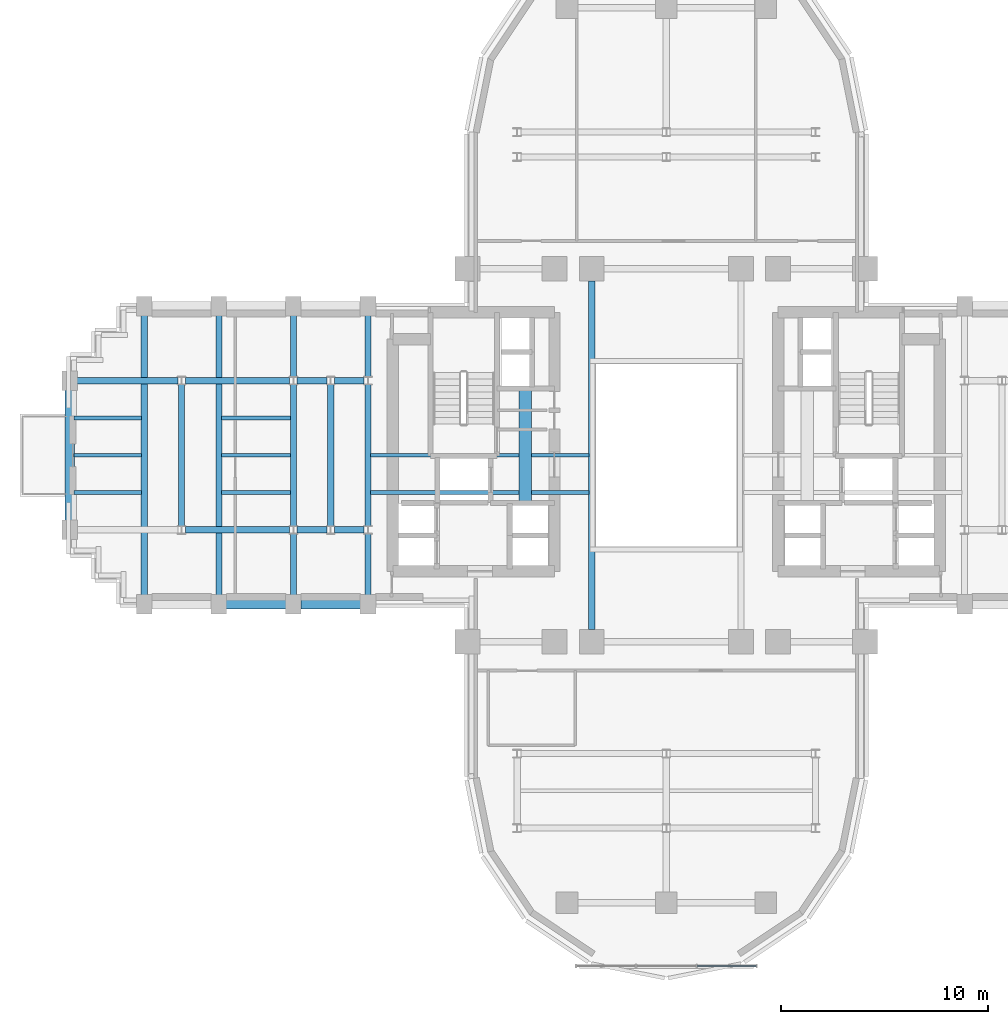
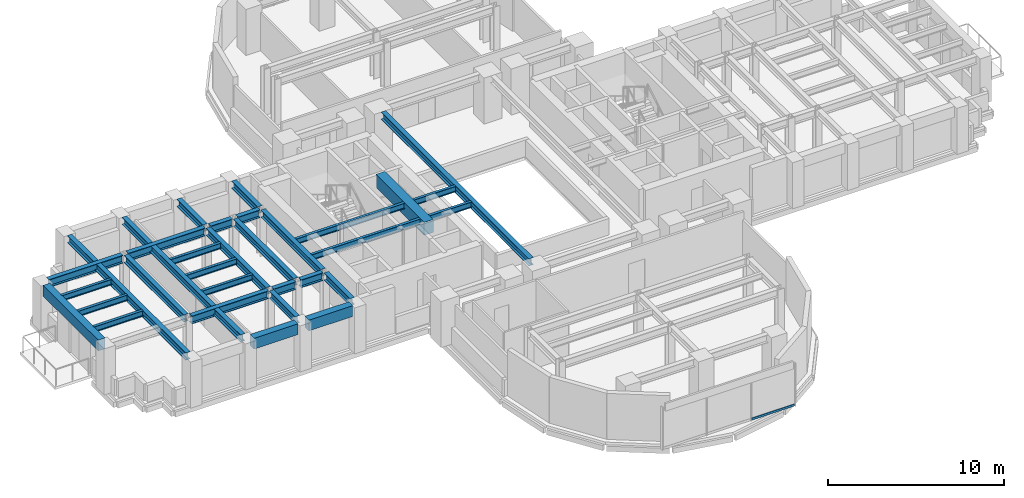
# One storey, part 4 of 14: 30 beams, 1 member, 1 element without a shape of its own.
"""IFC4 building model written with IfcOpenShell, lengths in metres."""

from ifc_helpers import new_model, si_unit, direction, frame, origin, origin_2d, place, context, subcontext, project, spatial, rectangle, i_section, extrude, source, transform, mapped, material, material_profile, profile_set, type_object, element, aggregate, save


model = new_model("IFC4")

# Units and contexts
model_context = context("Model", 3, precision=1e-05, world=origin(), true_north=direction((0.0, 1.0)))
body_context = subcontext(model_context, "Body", "Model", "MODEL_VIEW")
ifc_project = project(units=[si_unit("LENGTHUNIT", "METRE"), si_unit("AREAUNIT", "SQUARE_METRE"), si_unit("VOLUMEUNIT", "CUBIC_METRE"), si_unit("PLANEANGLEUNIT", "RADIAN"), si_unit("MASSUNIT", "GRAM", prefix="KILO")], contexts=[model_context])

# Site, building, storey
site_placement = place(None, origin())
site = spatial("IfcSite", under=ifc_project, at=site_placement, CompositionType="ELEMENT")
building_placement = place(site_placement, origin())
building = spatial("IfcBuilding", under=site, at=building_placement, Name="Keilestroom Media Tower", CompositionType="ELEMENT")
storey_placement = place(building_placement, frame((0.0, 0.0, 44.199951171875)))
storey = spatial("IfcBuildingStorey", under=building, at=storey_placement, Name="L10", CompositionType="ELEMENT", Elevation=44.199951171875)

# Beams
ifc_material_1 = material(Name="Concrete C70/85", Category="concrete")
ifc_material_profile_1 = material_profile(ifc_material_1, rectangle(XDim=0.60009765625, YDim=0.89990234375, at=origin_2d()), Name="RC 600x900")
ifc_profile_set_1 = profile_set([ifc_material_profile_1], Name="Concrete C70/85")
beam_type_1 = type_object("IfcBeamType", Name="Core-Coupling-Lintel-Beam-RC-600x900", PredefinedType="LINTEL", material=ifc_profile_set_1)
shared_shape_1 = source(origin(), body_context, "Body", "SweptSolid", [
    extrude(rectangle(XDim=0.60009765625, YDim=0.89990234375, at=origin_2d()), origin(), (0.0, 0.0, 1.0), 5.52001953125),
])
beam_1_placement = place(storey_placement, frame((-6.800048828125, -2.300048828125, 2.75), z_axis=(0.0, 1.0, 0.0), x_axis=(-1.0, 0.0, 0.0)))
element("IfcBeam", 1, at=beam_1_placement, inside=storey, type_object=beam_type_1, Name="L10 Beam CLB-1 CLB-L10-W", PredefinedType="LINTEL", context=body_context, shape_type="MappedRepresentation", body=[
    mapped(shared_shape_1, transform((0.0, 0.0, 0.0), x_axis=(1.0, 0.0, 0.0), y_axis=(0.0, 1.0, 0.0), z_axis=(0.0, 0.0, 1.0), scale=1.0)),
])
ifc_material_2 = material(Name="Precast concrete C40/50", Category="concrete")
ifc_material_profile_2 = material_profile(ifc_material_2, rectangle(XDim=0.449951171875, YDim=0.75, at=origin_2d()), Name="PC 450x750")
ifc_profile_set_2 = profile_set([ifc_material_profile_2], Name="Precast concrete C40/50")
beam_type_2 = type_object("IfcBeamType", Name="Perimeter-Spandrel-Beam-PC-450x750", PredefinedType="SPANDREL", material=ifc_profile_set_2)
shared_shape_2 = source(origin(), body_context, "Body", "SweptSolid", [
    extrude(rectangle(XDim=0.449951171875, YDim=0.75, at=origin_2d()), origin(), (0.0, 0.0, 1.0), 6.2900390625),
])
beam_2_placement = place(storey_placement, frame((-28.800048828125, -3.14501953125, 2.824951171875), z_axis=(0.0, 1.0, 0.0), x_axis=(-1.0, 0.0, 0.0)))
element("IfcBeam", 2, at=beam_2_placement, inside=storey, type_object=beam_type_2, Name="L10 Beam SPB-1 BM-L10-NS-051", PredefinedType="SPANDREL", context=body_context, shape_type="MappedRepresentation", body=[
    mapped(shared_shape_2, transform((0.0, 0.0, 0.0), x_axis=(1.0, 0.0, 0.0), y_axis=(0.0, 1.0, 0.0), z_axis=(0.0, 0.0, 1.0), scale=1.0)),
])
shared_shape_3 = source(origin(), body_context, "Body", "SweptSolid", [
    extrude(rectangle(XDim=0.449951171875, YDim=0.75, at=origin_2d()), origin(), (0.0, 0.0, 1.0), 2.89013671875),
])
for number, where, z_axis, x_axis, name in (
    (3, (-21.2451171875, -7.199951171875, 2.824951171875), (1.0, 0.0, 0.0), (0.0, 1.0, 0.0), "L10 Beam SPB-1 BM-L10-EW-013"),
    (4, (-17.64501953125, -7.199951171875, 2.824951171875), (1.0, 0.0, 0.0), (0.0, 1.0, 0.0), "L10 Beam SPB-1 BM-L10-EW-014"),
):
    element("IfcBeam", number, at=place(storey_placement, frame(where, z_axis=z_axis, x_axis=x_axis)), inside=storey, type_object=beam_type_2, Name=name, PredefinedType="SPANDREL", context=body_context, shape_type="MappedRepresentation", body=[
        mapped(shared_shape_3, transform((0.0, 0.0, 0.0), x_axis=(1.0, 0.0, 0.0), y_axis=(0.0, 1.0, 0.0), z_axis=(0.0, 0.0, 1.0), scale=1.0)),
    ])
ifc_material_3 = material(Name="Steel S355", Category="steel")
ifc_material_profile_3 = material_profile(ifc_material_3, i_section(OverallWidth=0.300048828125, OverallDepth=0.550048828125, WebThickness=0.012939453125, FlangeThickness=0.029052734375, at=origin_2d()), Name="HEB 550")
ifc_profile_set_3 = profile_set([ifc_material_profile_3], Name="Steel S355")
beam_type_3 = type_object("IfcBeamType", Name="Primary-Structural-Girder-HEB-550", PredefinedType="BEAM", material=ifc_profile_set_3)
shared_shape_4 = source(origin(), body_context, "Body", "SweptSolid", [
    extrude(i_section(OverallWidth=0.300048828125, OverallDepth=0.550048828125, WebThickness=0.012939453125, FlangeThickness=0.029052734375, at=origin_2d()), origin(), (0.0, 0.0, 1.0), 4.863037109375),
])
beam_3_placement = place(storey_placement, frame((-28.445068359375, 3.60009765625, 2.925048828125), z_axis=(1.0, 0.0, 0.0), x_axis=(0.0, 1.0, 0.0)))
element("IfcBeam", 5, at=beam_3_placement, inside=storey, type_object=beam_type_3, Name="L10 Beam BG-5 BM-L10-EW-026", PredefinedType="BEAM", context=body_context, shape_type="MappedRepresentation", body=[
    mapped(shared_shape_4, transform((0.0, 0.0, 0.0), x_axis=(1.0, 0.0, 0.0), y_axis=(0.0, 1.0, 0.0), z_axis=(0.0, 0.0, 1.0), scale=1.0)),
])
shared_shape_5 = source(origin(), body_context, "Body", "SweptSolid", [
    extrude(i_section(OverallWidth=0.300048828125, OverallDepth=0.550048828125, WebThickness=0.012939453125, FlangeThickness=0.029052734375, at=origin_2d()), origin(), (0.0, 0.0, 1.0), 5.0361328125),
])
for number, where, z_axis, x_axis, name in (
    (6, (-23.218017578125, -3.60009765625, 2.925048828125), (1.0, 0.0, 0.0), (0.0, 1.0, 0.0), "L10 Beam BG-5 BM-L10-EW-019"),
    (7, (-23.218017578125, 3.60009765625, 2.925048828125), (1.0, 0.0, 0.0), (0.0, 1.0, 0.0), "L10 Beam BG-5 BM-L10-EW-027"),
):
    element("IfcBeam", number, at=place(storey_placement, frame(where, z_axis=z_axis, x_axis=x_axis)), inside=storey, type_object=beam_type_3, Name=name, PredefinedType="BEAM", context=body_context, shape_type="MappedRepresentation", body=[
        mapped(shared_shape_5, transform((0.0, 0.0, 0.0), x_axis=(1.0, 0.0, 0.0), y_axis=(0.0, 1.0, 0.0), z_axis=(0.0, 0.0, 1.0), scale=1.0)),
    ])
shared_shape_6 = source(origin(), body_context, "Body", "SweptSolid", [
    extrude(i_section(OverallWidth=0.300048828125, OverallDepth=0.550048828125, WebThickness=0.012939453125, FlangeThickness=0.029052734375, at=origin_2d()), origin(), (0.0, 0.0, 1.0), 1.43603515625),
])
for number, where, z_axis, x_axis, name in (
    (8, (-17.818115234375, -3.60009765625, 2.925048828125), (1.0, 0.0, 0.0), (0.0, 1.0, 0.0), "L10 Beam BG-5 BM-L10-EW-020"),
    (9, (-16.01806640625, -3.60009765625, 2.925048828125), (1.0, 0.0, 0.0), (0.0, 1.0, 0.0), "L10 Beam BG-5 BM-L10-EW-021"),
    (10, (-17.818115234375, 3.60009765625, 2.925048828125), (1.0, 0.0, 0.0), (0.0, 1.0, 0.0), "L10 Beam BG-5 BM-L10-EW-028"),
    (11, (-16.01806640625, 3.60009765625, 2.925048828125), (1.0, 0.0, 0.0), (0.0, 1.0, 0.0), "L10 Beam BG-5 BM-L10-EW-029"),
):
    element("IfcBeam", number, at=place(storey_placement, frame(where, z_axis=z_axis, x_axis=x_axis)), inside=storey, type_object=beam_type_3, Name=name, PredefinedType="BEAM", context=body_context, shape_type="MappedRepresentation", body=[
        mapped(shared_shape_6, transform((0.0, 0.0, 0.0), x_axis=(1.0, 0.0, 0.0), y_axis=(0.0, 1.0, 0.0), z_axis=(0.0, 0.0, 1.0), scale=1.0)),
    ])
ifc_material_profile_4 = material_profile(ifc_material_3, i_section(OverallWidth=0.300048828125, OverallDepth=0.5, WebThickness=0.012451171875, FlangeThickness=0.028076171875, at=origin_2d()), Name="HEB 500")
ifc_profile_set_4 = profile_set([ifc_material_profile_4], Name="Steel S355")
beam_type_4 = type_object("IfcBeamType", Name="Primary-Structural-Girder-HEB-500", PredefinedType="BEAM", material=ifc_profile_set_4)
shared_shape_7 = source(origin(), body_context, "Body", "SweptSolid", [
    extrude(i_section(OverallWidth=0.300048828125, OverallDepth=0.5, WebThickness=0.012451171875, FlangeThickness=0.028076171875, at=origin_2d()), origin(), (0.0, 0.0, 1.0), 13.490234375),
])
for number, where, z_axis, x_axis, name in (
    (12, (-25.199951171875, -6.7451171875, 2.949951171875), (0.0, 1.0, 0.0), (-1.0, 0.0, 0.0), "L10 Beam BG-6 BM-L10-NS-052"),
    (13, (-21.60009765625, -6.7451171875, 2.949951171875), (0.0, 1.0, 0.0), (-1.0, 0.0, 0.0), "L10 Beam BG-6 BM-L10-NS-054"),
):
    element("IfcBeam", number, at=place(storey_placement, frame(where, z_axis=z_axis, x_axis=x_axis)), inside=storey, type_object=beam_type_4, Name=name, PredefinedType="BEAM", context=body_context, shape_type="MappedRepresentation", body=[
        mapped(shared_shape_7, transform((0.0, 0.0, 0.0), x_axis=(1.0, 0.0, 0.0), y_axis=(0.0, 1.0, 0.0), z_axis=(0.0, 0.0, 1.0), scale=1.0)),
    ])
shared_shape_8 = source(origin(), body_context, "Body", "SweptSolid", [
    extrude(i_section(OverallWidth=0.300048828125, OverallDepth=0.5, WebThickness=0.012451171875, FlangeThickness=0.028076171875, at=origin_2d()), origin(), (0.0, 0.0, 1.0), 6.8330078125),
])
for number, where, z_axis, x_axis, name in (
    (14, (-23.39990234375, -3.41650390625, 2.949951171875), (0.0, 1.0, 0.0), (-1.0, 0.0, 0.0), "L10 Beam BG-6 BM-L10-NS-053"),
    (15, (-18.0, -3.41650390625, 2.949951171875), (0.0, 1.0, 0.0), (-1.0, 0.0, 0.0), "L10 Beam BG-6 BM-L10-NS-056"),
    (16, (-16.199951171875, -3.41650390625, 2.949951171875), (0.0, 1.0, 0.0), (-1.0, 0.0, 0.0), "L10 Beam BG-6 BM-L10-NS-058"),
    (17, (-14.39990234375, -3.41650390625, 2.949951171875), (0.0, 1.0, 0.0), (-1.0, 0.0, 0.0), "L10 Beam BG-6 BM-L10-NS-060"),
):
    element("IfcBeam", number, at=place(storey_placement, frame(where, z_axis=z_axis, x_axis=x_axis)), inside=storey, type_object=beam_type_4, Name=name, PredefinedType="BEAM", context=body_context, shape_type="MappedRepresentation", body=[
        mapped(shared_shape_8, transform((0.0, 0.0, 0.0), x_axis=(1.0, 0.0, 0.0), y_axis=(0.0, 1.0, 0.0), z_axis=(0.0, 0.0, 1.0), scale=1.0)),
    ])
shared_shape_9 = source(origin(), body_context, "Body", "SweptSolid", [
    extrude(i_section(OverallWidth=0.300048828125, OverallDepth=0.5, WebThickness=0.012451171875, FlangeThickness=0.028076171875, at=origin_2d()), origin(), (0.0, 0.0, 1.0), 2.961669921875),
])
for number, where, z_axis, x_axis, name in (
    (18, (-18.0, -6.7451171875, 2.949951171875), (0.0, 1.0, 0.0), (-1.0, 0.0, 0.0), "L10 Beam BG-6 BM-L10-NS-055"),
    (19, (-18.0, 3.783447265625, 2.949951171875), (0.0, 1.0, 0.0), (-1.0, 0.0, 0.0), "L10 Beam BG-6 BM-L10-NS-057"),
    (20, (-14.39990234375, -6.7451171875, 2.949951171875), (0.0, 1.0, 0.0), (-1.0, 0.0, 0.0), "L10 Beam BG-6 BM-L10-NS-059"),
    (21, (-14.39990234375, 3.783447265625, 2.949951171875), (0.0, 1.0, 0.0), (-1.0, 0.0, 0.0), "L10 Beam BG-6 BM-L10-NS-061"),
):
    element("IfcBeam", number, at=place(storey_placement, frame(where, z_axis=z_axis, x_axis=x_axis)), inside=storey, type_object=beam_type_4, Name=name, PredefinedType="BEAM", context=body_context, shape_type="MappedRepresentation", body=[
        mapped(shared_shape_9, transform((0.0, 0.0, 0.0), x_axis=(1.0, 0.0, 0.0), y_axis=(0.0, 1.0, 0.0), z_axis=(0.0, 0.0, 1.0), scale=1.0)),
    ])
shared_shape_10 = source(origin(), body_context, "Body", "SweptSolid", [
    extrude(i_section(OverallWidth=0.300048828125, OverallDepth=0.5, WebThickness=0.012451171875, FlangeThickness=0.028076171875, at=origin_2d()), origin(), (0.0, 0.0, 1.0), 16.83984375),
])
beam_4_placement = place(storey_placement, frame((-3.60009765625, -8.419921875, 2.949951171875), z_axis=(0.0, 1.0, 0.0), x_axis=(-1.0, 0.0, 0.0)))
element("IfcBeam", 22, at=beam_4_placement, inside=storey, type_object=beam_type_4, Name="L10 Beam BG-6 BM-L10-NS-066", PredefinedType="BEAM", context=body_context, shape_type="MappedRepresentation", body=[
    mapped(shared_shape_10, transform((0.0, 0.0, 0.0), x_axis=(1.0, 0.0, 0.0), y_axis=(0.0, 1.0, 0.0), z_axis=(0.0, 0.0, 1.0), scale=1.0)),
])
ifc_material_profile_5 = material_profile(ifc_material_3, i_section(OverallWidth=0.179931640625, OverallDepth=0.39990234375, WebThickness=0.008544921875, FlangeThickness=0.013427734375, at=origin_2d()), Name="IPE 400")
ifc_profile_set_5 = profile_set([ifc_material_profile_5], Name="Steel S355")
beam_type_5 = type_object("IfcBeamType", Name="Secondary-Floor-Joist-IPE-400", PredefinedType="JOIST", material=ifc_profile_set_5)
shared_shape_11 = source(origin(), body_context, "Body", "SweptSolid", [
    extrude(i_section(OverallWidth=0.179931640625, OverallDepth=0.39990234375, WebThickness=0.008544921875, FlangeThickness=0.013427734375, at=origin_2d()), origin(), (0.0, 0.0, 1.0), 3.264892578125),
])
for number, where, z_axis, x_axis, name in (
    (23, (-28.594970703125, -1.800048828125, 3.0), (1.0, 0.0, 0.0), (0.0, 1.0, 0.0), "L10 Beam BJ-4 JST-L10-089"),
    (24, (-28.594970703125, 0.0, 3.0), (1.0, 0.0, 0.0), (0.0, 1.0, 0.0), "L10 Beam BJ-4 JST-L10-096"),
    (25, (-28.594970703125, 1.800048828125, 3.0), (1.0, 0.0, 0.0), (0.0, 1.0, 0.0), "L10 Beam BJ-4 JST-L10-103"),
):
    element("IfcBeam", number, at=place(storey_placement, frame(where, z_axis=z_axis, x_axis=x_axis)), inside=storey, type_object=beam_type_5, Name=name, PredefinedType="JOIST", context=body_context, shape_type="MappedRepresentation", body=[
        mapped(shared_shape_11, transform((0.0, 0.0, 0.0), x_axis=(1.0, 0.0, 0.0), y_axis=(0.0, 1.0, 0.0), z_axis=(0.0, 0.0, 1.0), scale=1.0)),
    ])
shared_shape_12 = source(origin(), body_context, "Body", "SweptSolid", [
    extrude(i_section(OverallWidth=0.179931640625, OverallDepth=0.39990234375, WebThickness=0.008544921875, FlangeThickness=0.013427734375, at=origin_2d()), origin(), (0.0, 0.0, 1.0), 3.340087890625),
])
for number, where, z_axis, x_axis, name in (
    (26, (-21.469970703125, -1.800048828125, 3.0), (1.0, 0.0, 0.0), (0.0, 1.0, 0.0), "L10 Beam BJ-4 JST-L10-090"),
    (27, (-21.469970703125, 0.0, 3.0), (1.0, 0.0, 0.0), (0.0, 1.0, 0.0), "L10 Beam BJ-4 JST-L10-097"),
    (28, (-21.469970703125, 1.800048828125, 3.0), (1.0, 0.0, 0.0), (0.0, 1.0, 0.0), "L10 Beam BJ-4 JST-L10-104"),
):
    element("IfcBeam", number, at=place(storey_placement, frame(where, z_axis=z_axis, x_axis=x_axis)), inside=storey, type_object=beam_type_5, Name=name, PredefinedType="JOIST", context=body_context, shape_type="MappedRepresentation", body=[
        mapped(shared_shape_12, transform((0.0, 0.0, 0.0), x_axis=(1.0, 0.0, 0.0), y_axis=(0.0, 1.0, 0.0), z_axis=(0.0, 0.0, 1.0), scale=1.0)),
    ])
shared_shape_13 = source(origin(), body_context, "Body", "SweptSolid", [
    extrude(i_section(OverallWidth=0.179931640625, OverallDepth=0.39990234375, WebThickness=0.008544921875, FlangeThickness=0.013427734375, at=origin_2d()), origin(), (0.0, 0.0, 1.0), 10.5400390625),
])
for number, where, z_axis, x_axis, name in (
    (29, (-14.27001953125, -1.800048828125, 3.0), (1.0, 0.0, 0.0), (0.0, 1.0, 0.0), "L10 Beam BJ-4 JST-L10-091"),
    (30, (-14.27001953125, 0.0, 3.0), (1.0, 0.0, 0.0), (0.0, 1.0, 0.0), "L10 Beam BJ-4 JST-L10-098"),
):
    element("IfcBeam", number, at=place(storey_placement, frame(where, z_axis=z_axis, x_axis=x_axis)), inside=storey, type_object=beam_type_5, Name=name, PredefinedType="JOIST", context=body_context, shape_type="MappedRepresentation", body=[
        mapped(shared_shape_13, transform((0.0, 0.0, 0.0), x_axis=(1.0, 0.0, 0.0), y_axis=(0.0, 1.0, 0.0), z_axis=(0.0, 0.0, 1.0), scale=1.0)),
    ])

# Curtain wall, member
ifc_material_4 = material(Name="Anodised Aluminium Alloy", Category="aluminium")
curtain_wall_type = type_object("IfcCurtainWallType", Name="Unitised-Curtain-Wall-CW-6", PredefinedType="NOTDEFINED", material=ifc_material_4)
curtain_wall_placement = place(storey_placement, origin())
curtain_wall = element("IfcCurtainWall", 31, at=curtain_wall_placement, inside=storey, type_object=curtain_wall_type, Name="L10 Curtain Wall CW-6 CW-L10-LS-1", PredefinedType="NOTDEFINED")
ifc_material_profile_6 = material_profile(ifc_material_4, rectangle(XDim=0.06494140625, YDim=0.14990234375, at=origin_2d()), Name="ALU TRANSOM 65x150")
ifc_profile_set_6 = profile_set([ifc_material_profile_6], Name="Anodised Aluminium Alloy")
member_type = type_object("IfcMemberType", Name="Curtain-Wall-Transom-CW-6", PredefinedType="USERDEFINED", material=ifc_profile_set_6)
shared_shape_14 = source(origin(), body_context, "Body", "SweptSolid", [
    extrude(rectangle(XDim=0.06494140625, YDim=0.14990234375, at=origin_2d()), origin(), (0.0, 0.0, 1.0), 2.839599609375),
])
member_placement = place(storey_placement, frame((1.497314453125, -24.64990234375, 0.074951171875), z_axis=(1.0, 0.0, 0.0), x_axis=(0.0, 1.0, 0.0)))
member = element("IfcMember", 32, at=member_placement, type_object=member_type, Name="CW-6 Transom 02.1", ObjectType="TRANSOM", PredefinedType="USERDEFINED", context=body_context, shape_type="MappedRepresentation", body=[
    mapped(shared_shape_14, transform((0.0, 0.0, 0.0), x_axis=(1.0, 0.0, 0.0), y_axis=(0.0, 1.0, 0.0), z_axis=(0.0, 0.0, 1.0), scale=1.0)),
])
aggregate(curtain_wall, [member])

save(model, "model.ifc")
